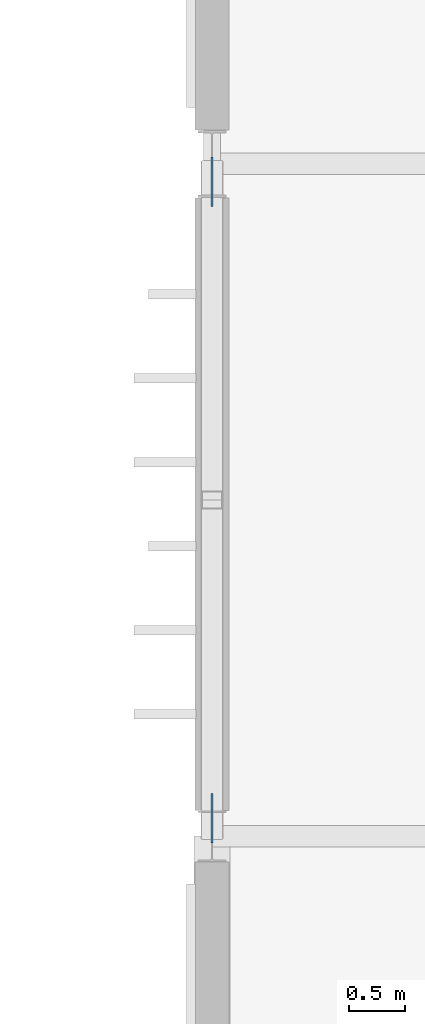
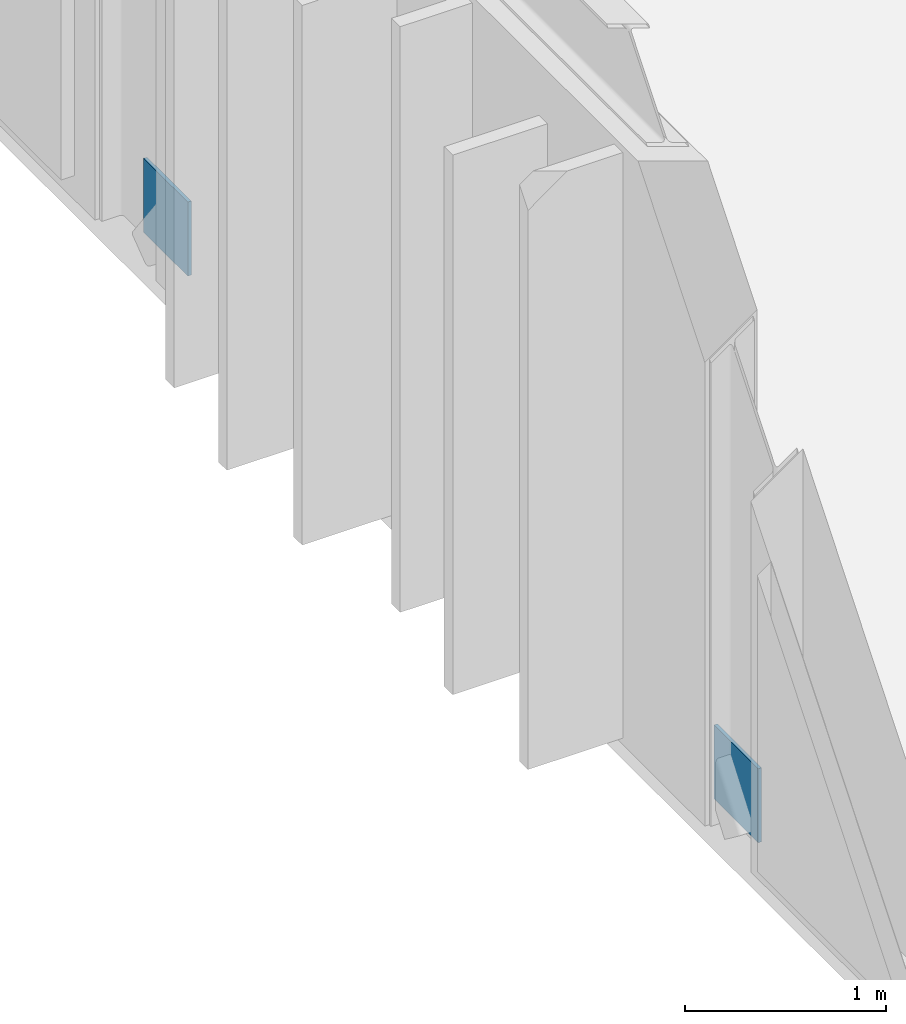
# One storey, part 75 of 96: 2 discrete accessories.
"""IFC4 building model written with IfcOpenShell, lengths in metres."""

from ifc_helpers import new_model, si_unit, direction, frame, origin, origin_2d, place, context, subcontext, project, spatial, rectangle, extrude, material, layer, layer_set, type_object, element, save


model = new_model("IFC4")

# Units and contexts
model_context = context("Model", 3, precision=1e-05, world=origin(), true_north=direction((0.0, 1.0)))
body_context = subcontext(model_context, "Body", "Model", "MODEL_VIEW")
ifc_project = project(units=[si_unit("LENGTHUNIT", "METRE"), si_unit("AREAUNIT", "SQUARE_METRE"), si_unit("VOLUMEUNIT", "CUBIC_METRE"), si_unit("PLANEANGLEUNIT", "RADIAN"), si_unit("MASSUNIT", "GRAM", prefix="KILO")], contexts=[model_context])

# Site, building, storey
site_placement = place(None, origin())
site = spatial("IfcSite", under=ifc_project, at=site_placement, CompositionType="ELEMENT")
building_placement = place(site_placement, origin())
building = spatial("IfcBuilding", under=site, at=building_placement, Name="Varnakota Square Police Headquarters", CompositionType="ELEMENT")
storey_placement = place(building_placement, frame((0.0, 0.0, 4.800048828125)))
storey = spatial("IfcBuildingStorey", under=building, at=storey_placement, Name="L01", CompositionType="ELEMENT", Elevation=4.800048828125)

# Discrete accessories
ifc_material = material(Name="Steel IS 2062 Grade 350", Category="steel")
ifc_layer = layer(ifc_material, 0.64990234375, Name="Steel IS 2062 Grade 350")
ifc_layer_set = layer_set([ifc_layer], Name="Steel IS 2062 Grade 350")
discrete_accessory_type = type_object("IfcDiscreteAccessoryType", Name="ACC-EMB-350", PredefinedType="BRACKET", material=ifc_layer_set)
for number, where, z_axis, x_axis, name in (
    (1, (6.0, 51.159912109375, 0.02490234375), (0.0, 0.0, 1.0), (0.0, 1.0, 0.0), "Brace gusset connection plate BF4 L01 L"),
    (2, (6.0, 56.840087890625, 0.02490234375), (0.0, 0.0, 1.0), (0.0, 1.0, 0.0), "Brace gusset connection plate BF4 L01 R"),
):
    element("IfcDiscreteAccessory", number, at=place(storey_placement, frame(where, z_axis=z_axis, x_axis=x_axis)), inside=storey, type_object=discrete_accessory_type, Name=name, PredefinedType="BRACKET", context=body_context, shape_type="SweptSolid", body=[
        extrude(rectangle(XDim=0.43994140625, YDim=0.02001953125, at=origin_2d()), origin(), (0.0, 0.0, 1.0), 0.449951171875),
    ])

save(model, "model.ifc")
